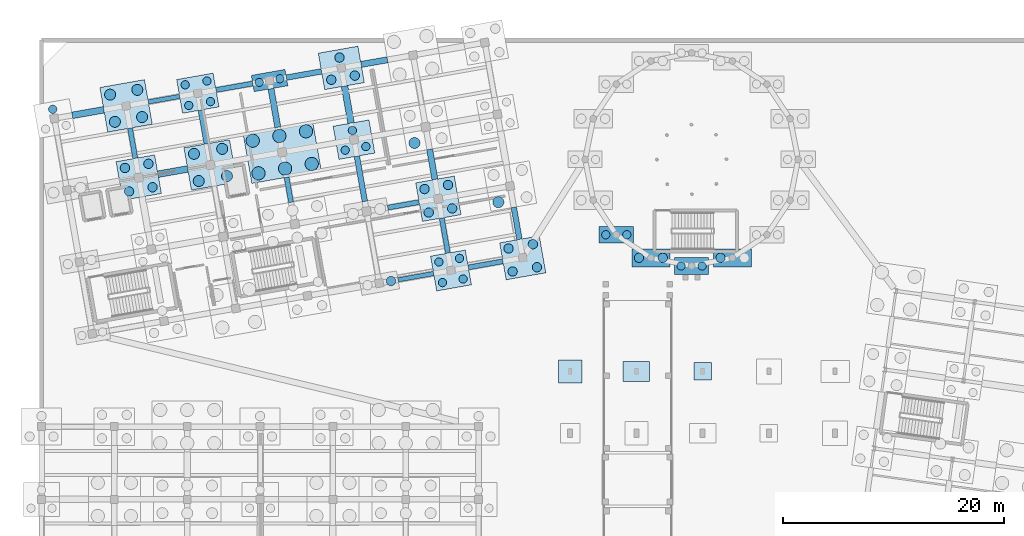
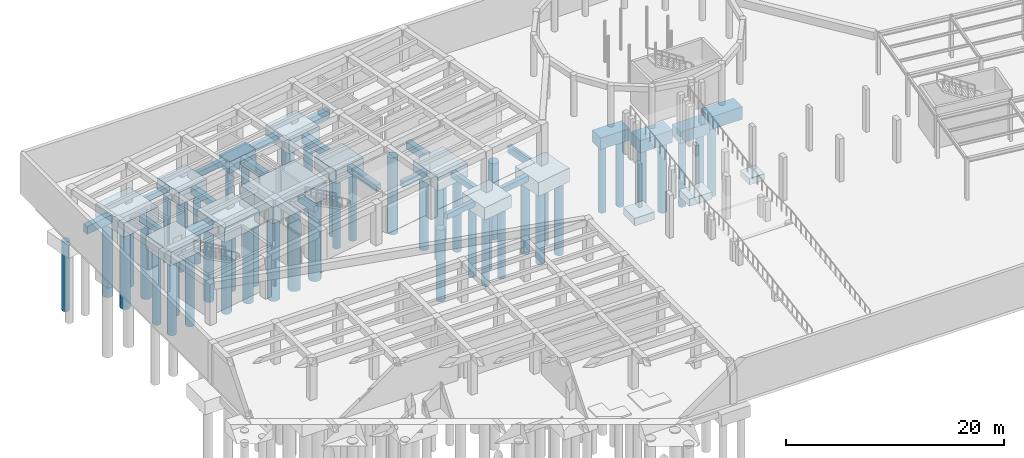
# One storey, part 4 of 34: 53 piles, 36 footings.
"""IFC4 building model written with IfcOpenShell, lengths in metres."""

import ifcopenshell
import ifcopenshell.guid

model = None  # the IFC model being written
_history = None  # IfcOwnerHistory: only IFC2X3 demands one
_inside = {}  # id of a spatial element -> (the spatial element, [elements in it])
_under = {}  # id of a project, library or spatial element -> (it, [spatial elements below it])
_declared = {}  # id of a project -> (the project, [libraries it declares])
_typed = {}  # id of a type object -> (the type object, [elements of that type])
_made_of = {}  # id of a material, layer set ... -> (it, [elements and type objects made of it])


def new_model(schema):
    """Start an empty IFC model of exactly this schema.

    Asked for "IFC4X3", IfcOpenShell would pick the latest addendum, in which some entities
    have other attributes; the version numbers below select the first issue.
    IFC2X3 requires an IfcOwnerHistory on every rooted entity: one is made here for all.
    """
    global model, _history
    if schema == "IFC4X3":
        model = ifcopenshell.file(schema_version=(4, 3, 0, 0))
    else:
        model = ifcopenshell.file(schema=schema)
    _inside.clear()
    _under.clear()
    _declared.clear()
    _typed.clear()
    _made_of.clear()
    _history = None
    if model.schema == "IFC2X3":
        org = make("IfcOrganization", Name="unknown")
        user = make(
            "IfcPersonAndOrganization",
            ThePerson=make("IfcPerson", FamilyName="unknown"),
            TheOrganization=org,
        )
        app = make(
            "IfcApplication",
            ApplicationDeveloper=org,
            Version="unknown",
            ApplicationFullName="unknown",
            ApplicationIdentifier="unknown",
        )
        _history = make(
            "IfcOwnerHistory",
            OwningUser=user,
            OwningApplication=app,
            ChangeAction="ADDED",
            CreationDate=0,
        )
    return model


def make(cls, **values):
    """One entity of the class cls with the attributes given. An attribute that is None is left unset."""
    return model.create_entity(
        cls, **{name: value for name, value in values.items() if value is not None}
    )


def rooted(cls, **values):
    """An entity with a GlobalId (a new one), such as an element, a storey or a relation."""
    return make(cls, GlobalId=ifcopenshell.guid.new(), OwnerHistory=_history, **values)


def si_unit(unit_type, name, prefix=None):
    """IfcSIUnit, for example si_unit("LENGTHUNIT", "METRE", prefix="MILLI")."""
    return make("IfcSIUnit", UnitType=unit_type, Prefix=prefix, Name=name)


def assignment(units):
    """IfcUnitAssignment: the units of a project."""
    return None if units is None else make("IfcUnitAssignment", Units=units)


def point(xyz):
    """IfcCartesianPoint."""
    return None if xyz is None else make("IfcCartesianPoint", Coordinates=xyz)


def direction(xyz):
    """IfcDirection."""
    return None if xyz is None else make("IfcDirection", DirectionRatios=xyz)


def frame(location, z_axis=None, x_axis=None):
    """IfcAxis2Placement3D, a coordinate frame: its origin and axes. An axis left out is left unset."""
    return make(
        "IfcAxis2Placement3D",
        Location=point(location),
        Axis=direction(z_axis),
        RefDirection=direction(x_axis),
    )


def frame_2d(location, x_axis=None):
    """IfcAxis2Placement2D, a coordinate frame in the plane: its origin and x axis."""
    return make(
        "IfcAxis2Placement2D", Location=point(location), RefDirection=direction(x_axis)
    )


def origin():
    """The frame at (0, 0, 0) with its axes left unset."""
    return frame((0.0, 0.0, 0.0))


def origin_2d():
    """The frame at (0, 0) in the plane with its x axis left unset."""
    return frame_2d((0.0, 0.0))


def place(relative_to, where):
    """IfcLocalPlacement: puts the frame where relative to a parent placement (None: the world)."""
    return make(
        "IfcLocalPlacement", PlacementRelTo=relative_to, RelativePlacement=where
    )


def context(
    kind, dimensions, precision=None, world=None, true_north=None, identifier=None
):
    """IfcGeometricRepresentationContext, for example the 3D "Model" context."""
    return make(
        "IfcGeometricRepresentationContext",
        ContextIdentifier=identifier,
        ContextType=kind,
        CoordinateSpaceDimension=dimensions,
        Precision=precision,
        WorldCoordinateSystem=world,
        TrueNorth=true_north,
    )


def subcontext(parent, identifier, kind, view, scale=None):
    """IfcGeometricRepresentationSubContext, for example "Body" below "Model"."""
    return make(
        "IfcGeometricRepresentationSubContext",
        ContextIdentifier=identifier,
        ContextType=kind,
        ParentContext=parent,
        TargetScale=scale,
        TargetView=view,
    )


def project(units=None, contexts=None):
    """IfcProject with its units and contexts."""
    return rooted(
        "IfcProject",
        Name="project",
        RepresentationContexts=contexts,
        UnitsInContext=assignment(units),
    )


def spatial(cls, under=None, at=None, **own):
    """A site, building, storey or space (cls), placed at a placement, below another one or the project."""
    s = rooted(cls, ObjectPlacement=at, **own)
    if under is not None:
        _under.setdefault(under.id(), (under, []))[1].append(s)
    return s


def profile(cls, at=None, kind="AREA", **sizes):
    """A parametric profile (cls). Its sizes go by their IFC names, for example OverallWidth=200.0."""
    return make(cls, ProfileType=kind, Position=at, **sizes)


def rectangle(**sizes):
    """IfcRectangleProfileDef."""
    return profile("IfcRectangleProfileDef", **sizes)


def circle(**sizes):
    """IfcCircleProfileDef."""
    return profile("IfcCircleProfileDef", **sizes)


def extrude(swept, where, along, depth):
    """IfcExtrudedAreaSolid: the profile swept, set in the frame where, extruded along a direction by depth."""
    return make(
        "IfcExtrudedAreaSolid",
        SweptArea=swept,
        Position=where,
        ExtrudedDirection=direction(along),
        Depth=depth,
    )


def shape(context_of_items, identifier, shape_type, items):
    """IfcShapeRepresentation: the items that make up one representation, for example the "Body"."""
    return make(
        "IfcShapeRepresentation",
        ContextOfItems=context_of_items,
        RepresentationIdentifier=identifier,
        RepresentationType=shape_type,
        Items=items,
    )


def material(Name=None, Category=None):
    """IfcMaterial."""
    return make("IfcMaterial", Name=Name, Category=Category)


def material_profile(
    of_material, cross_section, Name=None, Category=None, Priority=None
):
    """IfcMaterialProfile: a cross section and its material."""
    return make(
        "IfcMaterialProfile",
        Name=Name,
        Material=of_material,
        Profile=cross_section,
        Priority=Priority,
        Category=Category,
    )


def profile_set(profiles, Name=None, composite=None):
    """IfcMaterialProfileSet."""
    return make(
        "IfcMaterialProfileSet",
        Name=Name,
        MaterialProfiles=profiles,
        CompositeProfile=composite,
    )


def made_of(thing, what):
    """Note that an element or type object is made of a material, layer set ...; save() writes the relation."""
    if what is not None:
        _made_of.setdefault(what.id(), (what, []))[1].append(thing)
    return thing


def type_object(cls, material=None, **own):
    """A type object (cls), such as IfcWallType, which elements share."""
    return made_of(rooted(cls, **own), material)


def element(
    cls,
    number,
    at=None,
    inside=None,
    cuts=None,
    type_object=None,
    material=None,
    context=None,
    identifier="Body",
    shape_type=None,
    held_by="IfcProductDefinitionShape",
    body=None,
    shapes=None,
    **own,
):
    """One element of the class cls, such as IfcWall. Its Tag is "e" and its number.

    at: its placement. inside: the storey or other place that contains it. cuts: it is an
    opening in that element (IfcRelVoidsElement). A single representation is given by context,
    identifier, shape_type and body (its items); several are given by shapes. held_by: the class
    of the entity that holds the representations. save() writes the other relations.
    """
    e = rooted(cls, Tag="e%d" % number, ObjectPlacement=at, **own)
    if body is not None:
        shapes = [shape(context, identifier, shape_type, body)]
    if shapes is not None:
        e.Representation = make(held_by, Representations=shapes)
    if inside is not None:
        _inside.setdefault(inside.id(), (inside, []))[1].append(e)
    if cuts is not None:
        rooted(
            "IfcRelVoidsElement", RelatingBuildingElement=cuts, RelatedOpeningElement=e
        )
    if type_object is not None:
        _typed.setdefault(type_object.id(), (type_object, []))[1].append(e)
    return made_of(e, material)


def aggregate(whole, parts):
    """IfcRelAggregates: a whole, such as a stair, and the parts it consists of."""
    return rooted("IfcRelAggregates", RelatingObject=whole, RelatedObjects=parts)


def save(model, path):
    """Write the relations noted so far, then the file.

    IfcRelAggregates (storeys below a building ...), IfcRelContainedInSpatialStructure (elements
    in a storey), IfcRelDefinesByType, IfcRelAssociatesMaterial and IfcRelDeclares: one each for
    every whole, place, type object, material and project.
    """
    for whole, parts in _under.values():
        aggregate(whole, parts)
    for where, things in _inside.values():
        rooted(
            "IfcRelContainedInSpatialStructure",
            RelatedElements=things,
            RelatingStructure=where,
        )
    for kind, things in _typed.values():
        rooted("IfcRelDefinesByType", RelatedObjects=things, RelatingType=kind)
    for what, things in _made_of.values():
        rooted("IfcRelAssociatesMaterial", RelatedObjects=things, RelatingMaterial=what)
    for by, libraries in _declared.values():
        rooted("IfcRelDeclares", RelatingContext=by, RelatedDefinitions=libraries)
    model.write(path)


model = new_model("IFC4")

# Units and contexts
model_context = context("Model", 3, precision=1e-05, world=origin(), true_north=direction((0.0, 1.0)))
body_context = subcontext(model_context, "Body", "Model", "MODEL_VIEW")
ifc_project = project(units=[si_unit("LENGTHUNIT", "METRE"), si_unit("AREAUNIT", "SQUARE_METRE"), si_unit("VOLUMEUNIT", "CUBIC_METRE"), si_unit("PLANEANGLEUNIT", "RADIAN"), si_unit("MASSUNIT", "GRAM", prefix="KILO")], contexts=[model_context])

# Site, building, storey
site_placement = place(None, origin())
site = spatial("IfcSite", under=ifc_project, at=site_placement, CompositionType="ELEMENT")
building_placement = place(site_placement, origin())
building = spatial("IfcBuilding", under=site, at=building_placement, Name="Kharisveld Research Institute", CompositionType="ELEMENT")
storey_placement = place(building_placement, frame((0.0, 0.0, -4.800048828125)))
storey = spatial("IfcBuildingStorey", under=building, at=storey_placement, Name="B1", CompositionType="ELEMENT", Elevation=-4.800048828125)

# Footings
ifc_material_1 = material(Name="Concrete C35/45", Category="concrete")
ifc_material_profile_1 = material_profile(ifc_material_1, rectangle(XDim=0.449951171875, YDim=0.64990234375, at=origin_2d()))
ifc_profile_set_1 = profile_set([ifc_material_profile_1], Name="Concrete C35/45")
footing_type_1 = type_object("IfcFootingType", Name="GB_01", PredefinedType="FOOTING_BEAM", material=ifc_profile_set_1)
footing_1_placement = place(storey_placement, frame((39.2744140625, 41.018310546875, -0.77490234375), z_axis=(0.984810641176, 0.173631797281, 0.0), x_axis=(-0.173631797281, 0.984810641176, 0.0)))
element("IfcFooting", 1, at=footing_1_placement, inside=storey, type_object=footing_type_1, Name="FTG:GB:V1:U5_0", PredefinedType="FOOTING_BEAM", context=body_context, shape_type="SweptSolid", body=[
    extrude(rectangle(XDim=0.449951171875, YDim=0.64990234375, at=origin_2d()), origin(), (0.0, 0.0, 1.0), 3.175048828125),
])
footing_2_placement = place(storey_placement, frame((31.97314453125, 46.4326171875, -0.77490234375), z_axis=(0.984805777887, 0.173659378786, 0.0), x_axis=(-0.173659378786, 0.984805777887, 0.0)))
element("IfcFooting", 2, at=footing_2_placement, inside=storey, type_object=footing_type_1, Name="FTG:GB:V1:U4_1", PredefinedType="FOOTING_BEAM", context=body_context, shape_type="SweptSolid", body=[
    extrude(rectangle(XDim=0.449951171875, YDim=0.64990234375, at=origin_2d()), origin(), (0.0, 0.0, 1.0), 2.875),
])
footing_3_placement = place(storey_placement, frame((16.410888671875, 57.09228515625, -0.77490234375), z_axis=(0.984814129574, 0.173612010502, 0.0), x_axis=(-0.173612010502, 0.984814129574, 0.0)))
element("IfcFooting", 3, at=footing_3_placement, inside=storey, type_object=footing_type_1, Name="FTG:GB:V1:U2_3", PredefinedType="FOOTING_BEAM", context=body_context, shape_type="SweptSolid", body=[
    extrude(rectangle(XDim=0.449951171875, YDim=0.64990234375, at=origin_2d()), origin(), (0.0, 0.0, 1.0), 3.375),
])
footing_4_placement = place(storey_placement, frame((9.099365234375, 50.903564453125, -0.77490234375), z_axis=(-0.173664882068, 0.98480480743, 0.0), x_axis=(-0.98480480743, -0.173664882068, 0.0)))
element("IfcFooting", 4, at=footing_4_placement, inside=storey, type_object=footing_type_1, Name="FTG:GB:V1:V1_2", PredefinedType="FOOTING_BEAM", context=body_context, shape_type="SweptSolid", body=[
    extrude(rectangle(XDim=0.449951171875, YDim=0.64990234375, at=origin_2d()), origin(), (0.0, 0.0, 1.0), 2.775146484375),
])
footing_5_placement = place(storey_placement, frame((23.205810546875, 46.91748046875, -0.77490234375), z_axis=(-0.173652117628, 0.984807058283, 0.0), x_axis=(-0.984807058283, -0.173652117628, 0.0)))
element("IfcFooting", 5, at=footing_5_placement, inside=storey, type_object=footing_type_1, Name="FTG:GB:V1:V3_1", PredefinedType="FOOTING_BEAM", context=body_context, shape_type="SweptSolid", body=[
    extrude(rectangle(XDim=0.449951171875, YDim=0.64990234375, at=origin_2d()), origin(), (0.0, 0.0, 1.0), 2.300048828125),
])
footing_6_placement = place(storey_placement, frame((37.4208984375, 42.316162109375, -0.77490234375), z_axis=(-0.173660094172, 0.984805651737, 0.0), x_axis=(-0.984805651737, -0.173660094172, 0.0)))
element("IfcFooting", 6, at=footing_6_placement, inside=storey, type_object=footing_type_1, Name="FTG:GB:V1:V5_0", PredefinedType="FOOTING_BEAM", context=body_context, shape_type="SweptSolid", body=[
    extrude(rectangle(XDim=0.449951171875, YDim=0.64990234375, at=origin_2d()), origin(), (0.0, 0.0, 1.0), 3.22509765625),
])
ifc_material_2 = material(Name="Concrete C35/45", Category="concrete")
ifc_material_profile_2 = material_profile(ifc_material_2, rectangle(XDim=0.5, YDim=0.75, at=origin_2d()))
ifc_profile_set_2 = profile_set([ifc_material_profile_2], Name="Concrete C35/45")
footing_type_2 = type_object("IfcFootingType", Name="GB_02", PredefinedType="FOOTING_BEAM", material=ifc_profile_set_2)
footing_7_placement = place(storey_placement, frame((22.787353515625, 58.216552734375, -0.824951171875), z_axis=(0.984805651737, 0.173660094172, 0.0), x_axis=(-0.173660094172, 0.984805651737, 0.0)))
element("IfcFooting", 7, at=footing_7_placement, inside=storey, type_object=footing_type_2, Name="FTG:GB:V1:U3_3", PredefinedType="FOOTING_BEAM", context=body_context, shape_type="SweptSolid", body=[
    extrude(rectangle(XDim=0.5, YDim=0.75, at=origin_2d()), origin(), (0.0, 0.0, 1.0), 3.22509765625),
])
footing_8_placement = place(storey_placement, frame((15.568603515625, 52.221923828125, -0.824951171875), z_axis=(-0.173650553511, 0.984807334084, 0.0), x_axis=(-0.984807334084, -0.173650553511, 0.0)))
element("IfcFooting", 8, at=footing_8_placement, inside=storey, type_object=footing_type_2, Name="FTG:GB:V1:V2_2", PredefinedType="FOOTING_BEAM", context=body_context, shape_type="SweptSolid", body=[
    extrude(rectangle(XDim=0.5, YDim=0.75, at=origin_2d()), origin(), (0.0, 0.0, 1.0), 3.10009765625),
])
footing_9_placement = place(storey_placement, frame((29.892333984375, 47.0048828125, -0.824951171875), z_axis=(-0.173654454317, 0.984806646249, 0.0), x_axis=(-0.984806646249, -0.173654454317, 0.0)))
element("IfcFooting", 9, at=footing_9_placement, inside=storey, type_object=footing_type_2, Name="FTG:GB:V1:V4_1", PredefinedType="FOOTING_BEAM", context=body_context, shape_type="SweptSolid", body=[
    extrude(rectangle(XDim=0.5, YDim=0.75, at=origin_2d()), origin(), (0.0, 0.0, 1.0), 4.150146484375),
])
footing_10_placement = place(storey_placement, frame((43.903076171875, 43.560546875, -0.824951171875), z_axis=(-0.173624815763, 0.98481187206, 0.0), x_axis=(-0.98481187206, -0.173624815763, 0.0)))
element("IfcFooting", 10, at=footing_10_placement, inside=storey, type_object=footing_type_2, Name="FTG:GB:V1:V6_0", PredefinedType="FOOTING_BEAM", context=body_context, shape_type="SweptSolid", body=[
    extrude(rectangle(XDim=0.5, YDim=0.75, at=origin_2d()), origin(), (0.0, 0.0, 1.0), 2.9501953125),
])
ifc_material_3 = material(Name="Concrete C35/45", Category="concrete")
ifc_material_profile_3 = material_profile(ifc_material_3, rectangle(XDim=0.550048828125, YDim=0.85009765625, at=origin_2d()))
ifc_profile_set_3 = profile_set([ifc_material_profile_3], Name="Concrete C35/45")
footing_type_3 = type_object("IfcFootingType", Name="GB_03", PredefinedType="FOOTING_BEAM", material=ifc_profile_set_3)
footing_11_placement = place(storey_placement, frame((29.557861328125, 59.410400390625, -0.875), z_axis=(0.984804835116, 0.173664725064, 0.0), x_axis=(-0.173664725064, 0.984804835116, 0.0)))
element("IfcFooting", 11, at=footing_11_placement, inside=storey, type_object=footing_type_3, Name="FTG:GB:V1:U4_3", PredefinedType="FOOTING_BEAM", context=body_context, shape_type="SweptSolid", body=[
    extrude(rectangle(XDim=0.550048828125, YDim=0.85009765625, at=origin_2d()), origin(), (0.0, 0.0, 1.0), 2.425048828125),
])
footing_12_placement = place(storey_placement, frame((22.007568359375, 53.712646484375, -0.875), z_axis=(-0.17364802001, 0.984807780811, 0.0), x_axis=(-0.984807780811, -0.17364802001, 0.0)))
element("IfcFooting", 12, at=footing_12_placement, inside=storey, type_object=footing_type_3, Name="FTG:GB:V1:V3_2", PredefinedType="FOOTING_BEAM", context=body_context, shape_type="SweptSolid", body=[
    extrude(rectangle(XDim=0.550048828125, YDim=0.85009765625, at=origin_2d()), origin(), (0.0, 0.0, 1.0), 3.550048828125),
])
footing_13_placement = place(storey_placement, frame((36.244384765625, 48.988037109375, -0.875), z_axis=(-0.173664882068, 0.98480480743, 0.0), x_axis=(-0.98480480743, -0.173664882068, 0.0)))
element("IfcFooting", 13, at=footing_13_placement, inside=storey, type_object=footing_type_3, Name="FTG:GB:V1:V5_1", PredefinedType="FOOTING_BEAM", context=body_context, shape_type="SweptSolid", body=[
    extrude(rectangle(XDim=0.550048828125, YDim=0.85009765625, at=origin_2d()), origin(), (0.0, 0.0, 1.0), 2.775146484375),
])
ifc_material_4 = material(Name="Concrete C35/45", Category="concrete")
ifc_material_profile_4 = material_profile(ifc_material_4, rectangle(XDim=0.60009765625, YDim=0.89990234375, at=origin_2d()))
ifc_profile_set_4 = profile_set([ifc_material_profile_4], Name="Concrete C35/45")
footing_type_4 = type_object("IfcFootingType", Name="GB_04", PredefinedType="FOOTING_BEAM", material=ifc_profile_set_4)
footing_14_placement = place(storey_placement, frame((11.155517578125, 49.4638671875, -0.89990234375), z_axis=(0.984810605289, 0.173632000823, 0.0), x_axis=(-0.173632000823, 0.984810605289, 0.0)))
element("IfcFooting", 14, at=footing_14_placement, inside=storey, type_object=footing_type_4, Name="FTG:GB:V1:U1_2", PredefinedType="FOOTING_BEAM", context=body_context, shape_type="SweptSolid", body=[
    extrude(rectangle(XDim=0.60009765625, YDim=0.89990234375, at=origin_2d()), origin(), (0.0, 0.0, 1.0), 2.72509765625),
])
footing_15_placement = place(storey_placement, frame((3.38671875, 54.795654296875, -0.89990234375), z_axis=(0.98480304526, 0.17367487454, 0.0), x_axis=(-0.17367487454, 0.98480304526, 0.0)))
element("IfcFooting", 15, at=footing_15_placement, inside=storey, type_object=footing_type_4, Name="FTG:GB:V1:U0_3", PredefinedType="FOOTING_BEAM", context=body_context, shape_type="SweptSolid", body=[
    extrude(rectangle(XDim=0.60009765625, YDim=0.89990234375, at=origin_2d()), origin(), (0.0, 0.0, 1.0), 2.900146484375),
])
footing_16_placement = place(storey_placement, frame((28.641845703125, 54.095703125, -0.89990234375), z_axis=(-0.173637855307, 0.984809573067, 0.0), x_axis=(-0.984809573067, -0.173637855307, 0.0)))
element("IfcFooting", 16, at=footing_16_placement, inside=storey, type_object=footing_type_4, Name="FTG:GB:V1:V4_2", PredefinedType="FOOTING_BEAM", context=body_context, shape_type="SweptSolid", body=[
    extrude(rectangle(XDim=0.60009765625, YDim=0.89990234375, at=origin_2d()), origin(), (0.0, 0.0, 1.0), 3.39990234375),
])
ifc_material_5 = material(Name="Concrete C35/45", Category="concrete")
ifc_material_profile_5 = material_profile(ifc_material_5, rectangle(XDim=0.39990234375, YDim=0.60009765625, at=origin_2d()))
ifc_profile_set_5 = profile_set([ifc_material_profile_5], Name="Concrete C35/45")
footing_type_5 = type_object("IfcFootingType", Name="GB_05", PredefinedType="FOOTING_BEAM", material=ifc_profile_set_5)
footing_17_placement = place(storey_placement, frame((32.897705078125, 39.893798828125, -0.75), z_axis=(0.984800814149, 0.173687525317, 0.0), x_axis=(-0.173687525317, 0.984800814149, 0.0)))
element("IfcFooting", 17, at=footing_17_placement, inside=storey, type_object=footing_type_5, Name="FTG:GB:V1:U4_0", PredefinedType="FOOTING_BEAM", context=body_context, shape_type="SweptSolid", body=[
    extrude(rectangle(XDim=0.39990234375, YDim=0.60009765625, at=origin_2d()), origin(), (0.0, 0.0, 1.0), 3.275146484375),
])
footing_18_placement = place(storey_placement, frame((10.2802734375, 56.01123046875, -0.75), z_axis=(0.984805777887, 0.173659378786, 0.0), x_axis=(-0.173659378786, 0.984805777887, 0.0)))
element("IfcFooting", 18, at=footing_18_placement, inside=storey, type_object=footing_type_5, Name="FTG:GB:V1:U1_3", PredefinedType="FOOTING_BEAM", context=body_context, shape_type="SweptSolid", body=[
    extrude(rectangle(XDim=0.39990234375, YDim=0.60009765625, at=origin_2d()), origin(), (0.0, 0.0, 1.0), 2.875),
])
ifc_material_6 = material(Name="Concrete C35/45", Category="concrete")
footing_type_6 = type_object("IfcFootingType", Name="PC_2P_A", PredefinedType="PILE_CAP", material=ifc_material_6)
for number, where, z_axis, x_axis, name in (
    (19, (21.260986328125, 57.947509765625, -1.75), (0.0, 0.0, 1.0), (0.984807753012, 0.173648177667, 0.0), "FTG:V1:U3V3"),
    (20, (52.676513671875, 43.976318359375, -1.75), (0.0, 0.0, 1.0), (1.0, 0.0, 0.0), "FTG:V6:R10"),
    (21, (59.5, 41.14990234375, -1.75), (0.0, 0.0, 1.0), (1.0, 0.0, 0.0), "FTG:V6:R12"),
):
    element("IfcFooting", number, at=place(storey_placement, frame(where, z_axis=z_axis, x_axis=x_axis)), inside=storey, type_object=footing_type_6, Name=name, PredefinedType="PILE_CAP", context=body_context, shape_type="SweptSolid", body=[
        extrude(rectangle(XDim=3.10009765625, YDim=1.5, at=origin_2d()), origin(), (0.0, 0.0, 1.0), 1.300048828125),
    ])
ifc_material_7 = material(Name="Concrete C35/45", Category="concrete")
footing_type_7 = type_object("IfcFootingType", Name="PC_2P_B", PredefinedType="PILE_CAP", material=ifc_material_7)
for number, where, z_axis, x_axis, name in (
    (22, (55.80712890625, 41.884521484375, -1.849853515625), (0.0, 0.0, 1.0), (1.0, 0.0, 0.0), "FTG:V6:R11"),
    (23, (63.19287109375, 41.884521484375, -1.849853515625), (0.0, 0.0, 1.0), (1.0, 0.0, 0.0), "FTG:V6:R13"),
):
    element("IfcFooting", number, at=place(storey_placement, frame(where, z_axis=z_axis, x_axis=x_axis)), inside=storey, type_object=footing_type_7, Name=name, PredefinedType="PILE_CAP", context=body_context, shape_type="SweptSolid", body=[
        extrude(rectangle(XDim=3.449951171875, YDim=1.64990234375, at=origin_2d()), origin(), (0.0, 0.0, 1.0), 1.39990234375),
    ])
ifc_material_8 = material(Name="Concrete C35/45", Category="concrete")
footing_type_8 = type_object("IfcFootingType", Name="PC_3P_A", PredefinedType="PILE_CAP", material=ifc_material_8)
footing_19_placement = place(storey_placement, frame((28.90673828125, 52.59375, -1.89990234375), z_axis=(0.0, 0.0, 1.0), x_axis=(0.984807753012, 0.173648177667, 0.0)))
element("IfcFooting", 24, at=footing_19_placement, inside=storey, type_object=footing_type_8, Name="FTG:V1:U4V2", PredefinedType="PILE_CAP", context=body_context, shape_type="SweptSolid", body=[
    extrude(rectangle(XDim=3.300048828125, YDim=3.050048828125, at=origin_2d()), origin(), (0.0, 0.0, 1.0), 1.449951171875),
])
ifc_material_9 = material(Name="Concrete C35/45", Category="concrete")
footing_type_9 = type_object("IfcFootingType", Name="PC_3P_B", PredefinedType="PILE_CAP", material=ifc_material_9)
footing_20_placement = place(storey_placement, frame((27.7607421875, 59.093505859375, -1.949951171875), z_axis=(0.0, 0.0, 1.0), x_axis=(0.984807753012, 0.173648177667, 0.0)))
element("IfcFooting", 25, at=footing_20_placement, inside=storey, type_object=footing_type_9, Name="FTG:V1:U4V3", PredefinedType="PILE_CAP", context=body_context, shape_type="SweptSolid", body=[
    extrude(rectangle(XDim=3.64990234375, YDim=3.35009765625, at=origin_2d()), origin(), (0.0, 0.0, 1.0), 1.5),
])
ifc_material_10 = material(Name="Concrete C35/45", Category="concrete")
footing_type_10 = type_object("IfcFootingType", Name="PC_4P_A", PredefinedType="PILE_CAP", material=ifc_material_10)
footing_21_placement = place(storey_placement, frame((37.69873046875, 40.740478515625, -1.849853515625), z_axis=(0.0, 0.0, 1.0), x_axis=(0.984807753012, 0.173648177667, 0.0)))
element("IfcFooting", 26, at=footing_21_placement, inside=storey, type_object=footing_type_10, Name="FTG:V1:U5V0", PredefinedType="PILE_CAP", context=body_context, shape_type="SweptSolid", body=[
    extrude(rectangle(XDim=3.199951171875, YDim=3.199951171875, at=origin_2d()), origin(), (0.0, 0.0, 1.0), 1.39990234375),
])
ifc_material_11 = material(Name="Concrete C35/45", Category="concrete")
footing_type_11 = type_object("IfcFootingType", Name="PC_4P_B", PredefinedType="PILE_CAP", material=ifc_material_11)
for number, where, z_axis, x_axis, name in (
    (27, (9.407470703125, 49.155517578125, -1.949951171875), (0.0, 0.0, 1.0), (0.984807753012, 0.173648177667, 0.0), "FTG:V1:U1V2"),
    (28, (36.552490234375, 47.240234375, -1.949951171875), (0.0, 0.0, 1.0), (0.984807753012, 0.173648177667, 0.0), "FTG:V1:U5V1"),
):
    element("IfcFooting", number, at=place(storey_placement, frame(where, z_axis=z_axis, x_axis=x_axis)), inside=storey, type_object=footing_type_11, Name=name, PredefinedType="PILE_CAP", context=body_context, shape_type="SweptSolid", body=[
        extrude(rectangle(XDim=3.550048828125, YDim=3.550048828125, at=origin_2d()), origin(), (0.0, 0.0, 1.0), 1.5),
    ])
ifc_material_12 = material(Name="Concrete C35/45", Category="concrete")
footing_type_12 = type_object("IfcFootingType", Name="PC_4P_C", PredefinedType="PILE_CAP", material=ifc_material_12)
footing_22_placement = place(storey_placement, frame((8.261474609375, 55.6552734375, -2.050048828125), z_axis=(0.0, 0.0, 1.0), x_axis=(0.984807753012, 0.173648177667, 0.0)))
element("IfcFooting", 29, at=footing_22_placement, inside=storey, type_object=footing_type_12, Name="FTG:V1:U1V3", PredefinedType="PILE_CAP", context=body_context, shape_type="SweptSolid", body=[
    extrude(rectangle(XDim=4.10009765625, YDim=4.10009765625, at=origin_2d()), origin(), (0.0, 0.0, 1.0), 1.60009765625),
])
ifc_material_13 = material(Name="Concrete C35/45", Category="concrete")
footing_type_13 = type_object("IfcFootingType", Name="PC_4P_E", PredefinedType="PILE_CAP", material=ifc_material_13)
footing_23_placement = place(storey_placement, frame((44.198486328125, 41.886474609375, -2.0), z_axis=(0.0, 0.0, 1.0), x_axis=(0.984807753012, 0.173648177667, 0.0)))
element("IfcFooting", 30, at=footing_23_placement, inside=storey, type_object=footing_type_13, Name="FTG:V1:U6V0", PredefinedType="PILE_CAP", context=body_context, shape_type="SweptSolid", body=[
    extrude(rectangle(XDim=3.64990234375, YDim=3.39990234375, at=origin_2d()), origin(), (0.0, 0.0, 1.0), 1.550048828125),
])
ifc_material_14 = material(Name="Concrete C35/45", Category="concrete")
footing_type_14 = type_object("IfcFootingType", Name="PC_4P_F", PredefinedType="PILE_CAP", material=ifc_material_14)
footing_24_placement = place(storey_placement, frame((15.9072265625, 50.301513671875, -2.099853515625), z_axis=(0.0, 0.0, 1.0), x_axis=(0.984807753012, 0.173648177667, 0.0)))
element("IfcFooting", 31, at=footing_24_placement, inside=storey, type_object=footing_type_14, Name="FTG:V1:U2V2", PredefinedType="PILE_CAP", context=body_context, shape_type="SweptSolid", body=[
    extrude(rectangle(XDim=4.199951171875, YDim=3.89990234375, at=origin_2d()), origin(), (0.0, 0.0, 1.0), 1.64990234375),
])
ifc_material_15 = material(Name="Concrete C35/45", Category="concrete")
footing_type_15 = type_object("IfcFootingType", Name="PC_4P_G", PredefinedType="PILE_CAP", material=ifc_material_15)
footing_25_placement = place(storey_placement, frame((14.76123046875, 56.80126953125, -1.869873046875), z_axis=(0.0, 0.0, 1.0), x_axis=(0.984807753012, 0.173648177667, 0.0)))
element("IfcFooting", 32, at=footing_25_placement, inside=storey, type_object=footing_type_15, Name="FTG:V1:U2V3", PredefinedType="PILE_CAP", context=body_context, shape_type="SweptSolid", body=[
    extrude(rectangle(XDim=3.35009765625, YDim=3.10009765625, at=origin_2d()), origin(), (0.0, 0.0, 1.0), 1.419921875),
])
ifc_material_16 = material(Name="Concrete C35/45", Category="concrete")
footing_type_16 = type_object("IfcFootingType", Name="PC_6P_B", PredefinedType="PILE_CAP", material=ifc_material_16)
footing_26_placement = place(storey_placement, frame((22.406982421875, 51.44775390625, -2.300048828125), z_axis=(0.0, 0.0, 1.0), x_axis=(0.984807753012, 0.173648177667, 0.0)))
element("IfcFooting", 33, at=footing_26_placement, inside=storey, type_object=footing_type_16, Name="FTG:V1:U3V2", PredefinedType="PILE_CAP", context=body_context, shape_type="SweptSolid", body=[
    extrude(rectangle(XDim=6.39990234375, YDim=4.60009765625, at=origin_2d()), origin(), (0.0, 0.0, 1.0), 1.85009765625),
])
ifc_material_17 = material(Name="Concrete C35/45", Category="concrete")
footing_type_17 = type_object("IfcFootingType", Name="PF_02", PredefinedType="PAD_FOOTING", material=ifc_material_17)
footing_27_placement = place(storey_placement, frame((48.5, 31.60009765625, -1.300048828125), z_axis=(0.0, 0.0, 1.0), x_axis=(1.0, 0.0, 0.0)))
element("IfcFooting", 34, at=footing_27_placement, inside=storey, type_object=footing_type_17, Name="FTG:ARC:PF1_2", PredefinedType="PAD_FOOTING", context=body_context, shape_type="SweptSolid", body=[
    extrude(rectangle(XDim=2.10009765625, YDim=2.10009765625, at=origin_2d()), origin(), (0.0, 0.0, 1.0), 0.85009765625),
])
ifc_material_18 = material(Name="Concrete C35/45", Category="concrete")
footing_type_18 = type_object("IfcFootingType", Name="PF_03", PredefinedType="PAD_FOOTING", material=ifc_material_18)
footing_28_placement = place(storey_placement, frame((54.5, 31.60009765625, -1.25), z_axis=(0.0, 0.0, 1.0), x_axis=(1.0, 0.0, 0.0)))
element("IfcFooting", 35, at=footing_28_placement, inside=storey, type_object=footing_type_18, Name="FTG:ARC:PF2_2", PredefinedType="PAD_FOOTING", context=body_context, shape_type="SweptSolid", body=[
    extrude(rectangle(XDim=2.39990234375, YDim=1.800048828125, at=origin_2d()), origin(), (0.0, 0.0, 1.0), 0.800048828125),
])
ifc_material_19 = material(Name="Concrete C35/45", Category="concrete")
footing_type_19 = type_object("IfcFootingType", Name="PF_04", PredefinedType="PAD_FOOTING", material=ifc_material_19)
footing_29_placement = place(storey_placement, frame((60.5, 31.60009765625, -1.14990234375), z_axis=(0.0, 0.0, 1.0), x_axis=(1.0, 0.0, 0.0)))
element("IfcFooting", 36, at=footing_29_placement, inside=storey, type_object=footing_type_19, Name="FTG:ARC:PF3_2", PredefinedType="PAD_FOOTING", context=body_context, shape_type="SweptSolid", body=[
    extrude(rectangle(XDim=1.60009765625, YDim=1.60009765625, at=origin_2d()), origin(), (0.0, 0.0, 1.0), 0.699951171875),
])

# Piles
ifc_material_20 = material(Name="Concrete C40/50", Category="concrete")
ifc_material_profile_6 = material_profile(ifc_material_20, circle(Radius=0.5, at=origin_2d()))
ifc_profile_set_6 = profile_set([ifc_material_profile_6], Name="Concrete C40/50")
pile_type_1 = type_object("IfcPileType", Name="PILE_D1000", PredefinedType="BORED", material=ifc_profile_set_6)
for number, where, z_axis, x_axis, name in (
    (37, (7.24755859375, 54.207275390625, -1.949951171875), (0.0, 0.0, -1.0), (1.0, 0.0, 0.0), "PILE:V1:U1V3:P1"),
    (38, (9.70947265625, 54.641357421875, -1.949951171875), (0.0, 0.0, -1.0), (1.0, 0.0, 0.0), "PILE:V1:U1V3:P2"),
    (39, (9.275390625, 57.103271484375, -1.949951171875), (0.0, 0.0, -1.0), (1.0, 0.0, 0.0), "PILE:V1:U1V3:P3"),
    (40, (6.8134765625, 56.669189453125, -1.949951171875), (0.0, 0.0, -1.0), (1.0, 0.0, 0.0), "PILE:V1:U1V3:P4"),
):
    element("IfcPile", number, at=place(storey_placement, frame(where, z_axis=z_axis, x_axis=x_axis)), inside=storey, type_object=pile_type_1, Name=name, PredefinedType="BORED", context=body_context, shape_type="SweptSolid", body=[
        extrude(circle(Radius=0.5, at=origin_2d()), origin(), (0.0, 0.0, 1.0), 8.60009765625),
    ])
for number, where, z_axis, x_axis, name in (
    (41, (14.843994140625, 48.844970703125, -2.0), (0.0, 0.0, -1.0), (1.0, 0.0, 0.0), "PILE:V1:U2V2:P1"),
    (42, (17.404541015625, 49.29638671875, -2.0), (0.0, 0.0, -1.0), (1.0, 0.0, 0.0), "PILE:V1:U2V2:P2"),
    (43, (16.970458984375, 51.75830078125, -2.0), (0.0, 0.0, -1.0), (1.0, 0.0, 0.0), "PILE:V1:U2V2:P3"),
    (44, (14.409912109375, 51.306884765625, -2.0), (0.0, 0.0, -1.0), (1.0, 0.0, 0.0), "PILE:V1:U2V2:P4"),
):
    element("IfcPile", number, at=place(storey_placement, frame(where, z_axis=z_axis, x_axis=x_axis)), inside=storey, type_object=pile_type_1, Name=name, PredefinedType="BORED", context=body_context, shape_type="SweptSolid", body=[
        extrude(circle(Radius=0.5, at=origin_2d()), origin(), (0.0, 0.0, 1.0), 8.5),
    ])
pile_1_placement = place(storey_placement, frame((34.392578125, 52.291748046875, -1.949951171875), z_axis=(0.0, 0.0, -1.0), x_axis=(1.0, 0.0, 0.0)))
element("IfcPile", 45, at=pile_1_placement, inside=storey, type_object=pile_type_1, Name="PILE:V1:U5V2:P1", PredefinedType="BORED", context=body_context, shape_type="SweptSolid", body=[
    extrude(circle(Radius=0.5, at=origin_2d()), origin(), (0.0, 0.0, 1.0), 8.60009765625),
])
pile_2_placement = place(storey_placement, frame((41.989013671875, 46.929443359375, -2.0), z_axis=(0.0, 0.0, -1.0), x_axis=(1.0, 0.0, 0.0)))
element("IfcPile", 46, at=pile_2_placement, inside=storey, type_object=pile_type_1, Name="PILE:V1:U6V1:P1", PredefinedType="BORED", context=body_context, shape_type="SweptSolid", body=[
    extrude(circle(Radius=0.5, at=origin_2d()), origin(), (0.0, 0.0, 1.0), 8.5),
])
ifc_material_21 = material(Name="Concrete C40/50", Category="concrete")
ifc_material_profile_7 = material_profile(ifc_material_21, circle(Radius=0.60009765625, at=origin_2d()))
ifc_profile_set_7 = profile_set([ifc_material_profile_7], Name="Concrete C40/50")
pile_type_2 = type_object("IfcPileType", Name="PILE_D1200", PredefinedType="BORED", material=ifc_profile_set_7)
for number, where, z_axis, x_axis, name in (
    (47, (20.254638671875, 49.545166015625, -2.199951171875), (0.0, 0.0, -1.0), (1.0, 0.0, 0.0), "PILE:V1:U3V2:P1"),
    (48, (22.66748046875, 49.970458984375, -2.199951171875), (0.0, 0.0, -1.0), (1.0, 0.0, 0.0), "PILE:V1:U3V2:P2"),
    (49, (25.080322265625, 50.39599609375, -2.199951171875), (0.0, 0.0, -1.0), (1.0, 0.0, 0.0), "PILE:V1:U3V2:P3"),
    (50, (19.73388671875, 52.49951171875, -2.199951171875), (0.0, 0.0, -1.0), (1.0, 0.0, 0.0), "PILE:V1:U3V2:P4"),
    (51, (22.146484375, 52.9248046875, -2.199951171875), (0.0, 0.0, -1.0), (1.0, 0.0, 0.0), "PILE:V1:U3V2:P5"),
    (52, (24.559326171875, 53.350341796875, -2.199951171875), (0.0, 0.0, -1.0), (1.0, 0.0, 0.0), "PILE:V1:U3V2:P6"),
):
    element("IfcPile", number, at=place(storey_placement, frame(where, z_axis=z_axis, x_axis=x_axis)), inside=storey, type_object=pile_type_2, Name=name, PredefinedType="BORED", context=body_context, shape_type="SweptSolid", body=[
        extrude(circle(Radius=0.60009765625, at=origin_2d()), origin(), (0.0, 0.0, 1.0), 9.10009765625),
    ])
ifc_material_22 = material(Name="Concrete C40/50", Category="concrete")
ifc_material_profile_8 = material_profile(ifc_material_22, circle(Radius=0.375, at=origin_2d()))
ifc_profile_set_8 = profile_set([ifc_material_profile_8], Name="Concrete C40/50")
pile_type_3 = type_object("IfcPileType", Name="PILE_D750", PredefinedType="BORED", material=ifc_profile_set_8)
pile_3_placement = place(storey_placement, frame((1.6142578125, 55.34619140625, -1.800048828125), z_axis=(0.0, 0.0, -1.0), x_axis=(1.0, 0.0, 0.0)))
element("IfcPile", 53, at=pile_3_placement, inside=storey, type_object=pile_type_3, Name="PILE:V1:U0V3:P3", PredefinedType="BORED", context=body_context, shape_type="SweptSolid", body=[
    extrude(circle(Radius=0.375, at=origin_2d()), origin(), (0.0, 0.0, 1.0), 7.800048828125),
])
for number, where, z_axis, x_axis, name in (
    (54, (13.94140625, 55.692138671875, -1.77001953125), (0.0, 0.0, -1.0), (1.0, 0.0, 0.0), "PILE:V1:U2V3:P1"),
    (55, (15.910888671875, 56.03955078125, -1.77001953125), (0.0, 0.0, -1.0), (1.0, 0.0, 0.0), "PILE:V1:U2V3:P2"),
    (56, (15.5810546875, 57.91064453125, -1.77001953125), (0.0, 0.0, -1.0), (1.0, 0.0, 0.0), "PILE:V1:U2V3:P3"),
    (57, (13.611572265625, 57.563232421875, -1.77001953125), (0.0, 0.0, -1.0), (1.0, 0.0, 0.0), "PILE:V1:U2V3:P4"),
):
    element("IfcPile", number, at=place(storey_placement, frame(where, z_axis=z_axis, x_axis=x_axis)), inside=storey, type_object=pile_type_3, Name=name, PredefinedType="BORED", context=body_context, shape_type="SweptSolid", body=[
        extrude(circle(Radius=0.375, at=origin_2d()), origin(), (0.0, 0.0, 1.0), 7.949951171875),
    ])
for number, where, z_axis, x_axis, name in (
    (58, (20.325439453125, 57.782470703125, -1.64990234375), (0.0, 0.0, -1.0), (1.0, 0.0, 0.0), "PILE:V1:U3V3:P1"),
    (59, (22.196533203125, 58.1123046875, -1.64990234375), (0.0, 0.0, -1.0), (1.0, 0.0, 0.0), "PILE:V1:U3V3:P2"),
):
    element("IfcPile", number, at=place(storey_placement, frame(where, z_axis=z_axis, x_axis=x_axis)), inside=storey, type_object=pile_type_3, Name=name, PredefinedType="BORED", context=body_context, shape_type="SweptSolid", body=[
        extrude(circle(Radius=0.375, at=origin_2d()), origin(), (0.0, 0.0, 1.0), 7.60009765625),
    ])
for number, where, z_axis, x_axis, name in (
    (60, (28.110107421875, 51.640869140625, -1.800048828125), (0.0, 0.0, -1.0), (1.0, 0.0, 0.0), "PILE:V1:U4V2:P1"),
    (61, (29.981201171875, 51.970947265625, -1.800048828125), (0.0, 0.0, -1.0), (1.0, 0.0, 0.0), "PILE:V1:U4V2:P2"),
    (62, (28.75927734375, 53.430908203125, -1.800048828125), (0.0, 0.0, -1.0), (1.0, 0.0, 0.0), "PILE:V1:U4V2:P3"),
):
    element("IfcPile", number, at=place(storey_placement, frame(where, z_axis=z_axis, x_axis=x_axis)), inside=storey, type_object=pile_type_3, Name=name, PredefinedType="BORED", context=body_context, shape_type="SweptSolid", body=[
        extrude(circle(Radius=0.375, at=origin_2d()), origin(), (0.0, 0.0, 1.0), 7.800048828125),
    ])
for number, where, z_axis, x_axis, name in (
    (63, (36.927978515625, 39.639892578125, -1.75), (0.0, 0.0, -1.0), (1.0, 0.0, 0.0), "PILE:V1:U5V0:P1"),
    (64, (38.799072265625, 39.9697265625, -1.75), (0.0, 0.0, -1.0), (1.0, 0.0, 0.0), "PILE:V1:U5V0:P2"),
    (65, (38.46923828125, 41.8408203125, -1.75), (0.0, 0.0, -1.0), (1.0, 0.0, 0.0), "PILE:V1:U5V0:P3"),
    (66, (36.59814453125, 41.510986328125, -1.75), (0.0, 0.0, -1.0), (1.0, 0.0, 0.0), "PILE:V1:U5V0:P4"),
):
    element("IfcPile", number, at=place(storey_placement, frame(where, z_axis=z_axis, x_axis=x_axis)), inside=storey, type_object=pile_type_3, Name=name, PredefinedType="BORED", context=body_context, shape_type="SweptSolid", body=[
        extrude(circle(Radius=0.375, at=origin_2d()), origin(), (0.0, 0.0, 1.0), 7.89990234375),
    ])
for number, where, z_axis, x_axis, name in (
    (67, (51.726318359375, 43.976318359375, -1.64990234375), (0.0, 0.0, -1.0), (1.0, 0.0, 0.0), "PILE:V6:R10:P1"),
    (68, (53.62646484375, 43.976318359375, -1.64990234375), (0.0, 0.0, -1.0), (1.0, 0.0, 0.0), "PILE:V6:R10:P2"),
    (69, (58.550048828125, 41.14990234375, -1.64990234375), (0.0, 0.0, -1.0), (1.0, 0.0, 0.0), "PILE:V6:R12:P1"),
    (70, (60.449951171875, 41.14990234375, -1.64990234375), (0.0, 0.0, -1.0), (1.0, 0.0, 0.0), "PILE:V6:R12:P2"),
):
    element("IfcPile", number, at=place(storey_placement, frame(where, z_axis=z_axis, x_axis=x_axis)), inside=storey, type_object=pile_type_3, Name=name, PredefinedType="BORED", context=body_context, shape_type="SweptSolid", body=[
        extrude(circle(Radius=0.375, at=origin_2d()), origin(), (0.0, 0.0, 1.0), 7.60009765625),
    ])
ifc_material_23 = material(Name="Concrete C40/50", Category="concrete")
ifc_material_profile_9 = material_profile(ifc_material_23, circle(Radius=0.425048828125, at=origin_2d()))
ifc_profile_set_9 = profile_set([ifc_material_profile_9], Name="Concrete C40/50")
pile_type_4 = type_object("IfcPileType", Name="PILE_D850", PredefinedType="BORED", material=ifc_profile_set_9)
for number, where, z_axis, x_axis, name in (
    (71, (8.531494140625, 47.904296875, -1.849853515625), (0.0, 0.0, -1.0), (1.0, 0.0, 0.0), "PILE:V1:U1V2:P1"),
    (72, (10.65869140625, 48.279541015625, -1.849853515625), (0.0, 0.0, -1.0), (1.0, 0.0, 0.0), "PILE:V1:U1V2:P2"),
    (73, (10.28369140625, 50.40673828125, -1.849853515625), (0.0, 0.0, -1.0), (1.0, 0.0, 0.0), "PILE:V1:U1V2:P3"),
    (74, (8.156494140625, 50.031494140625, -1.849853515625), (0.0, 0.0, -1.0), (1.0, 0.0, 0.0), "PILE:V1:U1V2:P4"),
):
    element("IfcPile", number, at=place(storey_placement, frame(where, z_axis=z_axis, x_axis=x_axis)), inside=storey, type_object=pile_type_4, Name=name, PredefinedType="BORED", context=body_context, shape_type="SweptSolid", body=[
        extrude(circle(Radius=0.425048828125, at=origin_2d()), origin(), (0.0, 0.0, 1.0), 8.300048828125),
    ])
pile_4_placement = place(storey_placement, frame((32.262451171875, 39.78173828125, -1.75), z_axis=(0.0, 0.0, -1.0), x_axis=(1.0, 0.0, 0.0)))
element("IfcPile", 75, at=pile_4_placement, inside=storey, type_object=pile_type_4, Name="PILE:V1:U4V0:P2", PredefinedType="BORED", context=body_context, shape_type="SweptSolid", body=[
    extrude(circle(Radius=0.425048828125, at=origin_2d()), origin(), (0.0, 0.0, 1.0), 8.0),
])
for number, where, z_axis, x_axis, name in (
    (76, (26.853271484375, 58.01953125, -1.849853515625), (0.0, 0.0, -1.0), (1.0, 0.0, 0.0), "PILE:V1:U4V3:P1"),
    (77, (28.98046875, 58.394775390625, -1.849853515625), (0.0, 0.0, -1.0), (1.0, 0.0, 0.0), "PILE:V1:U4V3:P2"),
    (78, (27.595703125, 60.029052734375, -1.849853515625), (0.0, 0.0, -1.0), (1.0, 0.0, 0.0), "PILE:V1:U4V3:P3"),
):
    element("IfcPile", number, at=place(storey_placement, frame(where, z_axis=z_axis, x_axis=x_axis)), inside=storey, type_object=pile_type_4, Name=name, PredefinedType="BORED", context=body_context, shape_type="SweptSolid", body=[
        extrude(circle(Radius=0.425048828125, at=origin_2d()), origin(), (0.0, 0.0, 1.0), 8.199951171875),
    ])
for number, where, z_axis, x_axis, name in (
    (79, (35.676513671875, 45.989013671875, -1.849853515625), (0.0, 0.0, -1.0), (1.0, 0.0, 0.0), "PILE:V1:U5V1:P1"),
    (80, (37.8037109375, 46.364013671875, -1.849853515625), (0.0, 0.0, -1.0), (1.0, 0.0, 0.0), "PILE:V1:U5V1:P2"),
    (81, (37.4287109375, 48.4912109375, -1.849853515625), (0.0, 0.0, -1.0), (1.0, 0.0, 0.0), "PILE:V1:U5V1:P3"),
    (82, (35.301513671875, 48.1162109375, -1.849853515625), (0.0, 0.0, -1.0), (1.0, 0.0, 0.0), "PILE:V1:U5V1:P4"),
):
    element("IfcPile", number, at=place(storey_placement, frame(where, z_axis=z_axis, x_axis=x_axis)), inside=storey, type_object=pile_type_4, Name=name, PredefinedType="BORED", context=body_context, shape_type="SweptSolid", body=[
        extrude(circle(Radius=0.425048828125, at=origin_2d()), origin(), (0.0, 0.0, 1.0), 8.300048828125),
    ])
for number, where, z_axis, x_axis, name in (
    (83, (43.279541015625, 40.648193359375, -1.89990234375), (0.0, 0.0, -1.0), (1.0, 0.0, 0.0), "PILE:V1:U6V0:P1"),
    (84, (45.4853515625, 41.037109375, -1.89990234375), (0.0, 0.0, -1.0), (1.0, 0.0, 0.0), "PILE:V1:U6V0:P2"),
    (85, (45.1171875, 43.124755859375, -1.89990234375), (0.0, 0.0, -1.0), (1.0, 0.0, 0.0), "PILE:V1:U6V0:P3"),
    (86, (42.911376953125, 42.73583984375, -1.89990234375), (0.0, 0.0, -1.0), (1.0, 0.0, 0.0), "PILE:V1:U6V0:P4"),
):
    element("IfcPile", number, at=place(storey_placement, frame(where, z_axis=z_axis, x_axis=x_axis)), inside=storey, type_object=pile_type_4, Name=name, PredefinedType="BORED", context=body_context, shape_type="SweptSolid", body=[
        extrude(circle(Radius=0.425048828125, at=origin_2d()), origin(), (0.0, 0.0, 1.0), 8.10009765625),
    ])
for number, where, z_axis, x_axis, name in (
    (87, (54.72705078125, 41.884521484375, -1.75), (0.0, 0.0, -1.0), (1.0, 0.0, 0.0), "PILE:V6:R11:P1"),
    (88, (56.88720703125, 41.884521484375, -1.75), (0.0, 0.0, -1.0), (1.0, 0.0, 0.0), "PILE:V6:R11:P2"),
    (89, (62.11279296875, 41.884521484375, -1.75), (0.0, 0.0, -1.0), (1.0, 0.0, 0.0), "PILE:V6:R13:P1"),
):
    element("IfcPile", number, at=place(storey_placement, frame(where, z_axis=z_axis, x_axis=x_axis)), inside=storey, type_object=pile_type_4, Name=name, PredefinedType="BORED", context=body_context, shape_type="SweptSolid", body=[
        extrude(circle(Radius=0.425048828125, at=origin_2d()), origin(), (0.0, 0.0, 1.0), 8.0),
    ])

save(model, "model.ifc")
